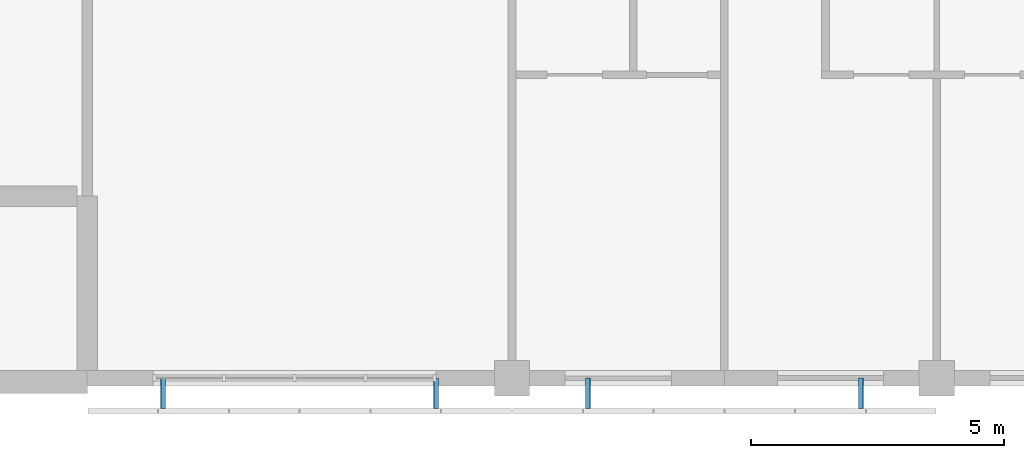
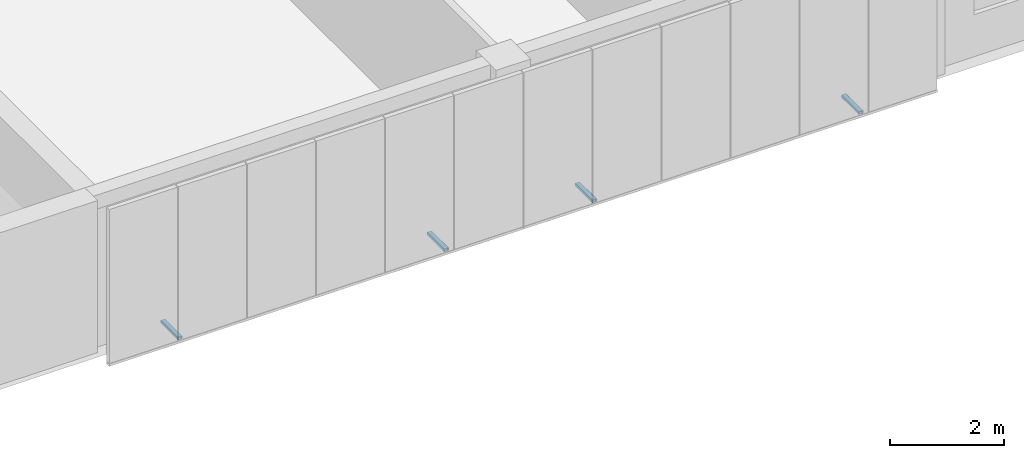
# One storey, part 41 of 46: 4 discrete accessories.
"""IFC4 building model written with IfcOpenShell, lengths in metres."""

import ifcopenshell
import ifcopenshell.guid

model = None  # the IFC model being written
_history = None  # IfcOwnerHistory: only IFC2X3 demands one
_inside = {}  # id of a spatial element -> (the spatial element, [elements in it])
_under = {}  # id of a project, library or spatial element -> (it, [spatial elements below it])
_declared = {}  # id of a project -> (the project, [libraries it declares])
_typed = {}  # id of a type object -> (the type object, [elements of that type])
_made_of = {}  # id of a material, layer set ... -> (it, [elements and type objects made of it])


def new_model(schema):
    """Start an empty IFC model of exactly this schema.

    Asked for "IFC4X3", IfcOpenShell would pick the latest addendum, in which some entities
    have other attributes; the version numbers below select the first issue.
    IFC2X3 requires an IfcOwnerHistory on every rooted entity: one is made here for all.
    """
    global model, _history
    if schema == "IFC4X3":
        model = ifcopenshell.file(schema_version=(4, 3, 0, 0))
    else:
        model = ifcopenshell.file(schema=schema)
    _inside.clear()
    _under.clear()
    _declared.clear()
    _typed.clear()
    _made_of.clear()
    _history = None
    if model.schema == "IFC2X3":
        org = make("IfcOrganization", Name="unknown")
        user = make(
            "IfcPersonAndOrganization",
            ThePerson=make("IfcPerson", FamilyName="unknown"),
            TheOrganization=org,
        )
        app = make(
            "IfcApplication",
            ApplicationDeveloper=org,
            Version="unknown",
            ApplicationFullName="unknown",
            ApplicationIdentifier="unknown",
        )
        _history = make(
            "IfcOwnerHistory",
            OwningUser=user,
            OwningApplication=app,
            ChangeAction="ADDED",
            CreationDate=0,
        )
    return model


def make(cls, **values):
    """One entity of the class cls with the attributes given. An attribute that is None is left unset."""
    return model.create_entity(
        cls, **{name: value for name, value in values.items() if value is not None}
    )


def rooted(cls, **values):
    """An entity with a GlobalId (a new one), such as an element, a storey or a relation."""
    return make(cls, GlobalId=ifcopenshell.guid.new(), OwnerHistory=_history, **values)


def si_unit(unit_type, name, prefix=None):
    """IfcSIUnit, for example si_unit("LENGTHUNIT", "METRE", prefix="MILLI")."""
    return make("IfcSIUnit", UnitType=unit_type, Prefix=prefix, Name=name)


def assignment(units):
    """IfcUnitAssignment: the units of a project."""
    return None if units is None else make("IfcUnitAssignment", Units=units)


def point(xyz):
    """IfcCartesianPoint."""
    return None if xyz is None else make("IfcCartesianPoint", Coordinates=xyz)


def direction(xyz):
    """IfcDirection."""
    return None if xyz is None else make("IfcDirection", DirectionRatios=xyz)


def frame(location, z_axis=None, x_axis=None):
    """IfcAxis2Placement3D, a coordinate frame: its origin and axes. An axis left out is left unset."""
    return make(
        "IfcAxis2Placement3D",
        Location=point(location),
        Axis=direction(z_axis),
        RefDirection=direction(x_axis),
    )


def frame_2d(location, x_axis=None):
    """IfcAxis2Placement2D, a coordinate frame in the plane: its origin and x axis."""
    return make(
        "IfcAxis2Placement2D", Location=point(location), RefDirection=direction(x_axis)
    )


def origin():
    """The frame at (0, 0, 0) with its axes left unset."""
    return frame((0.0, 0.0, 0.0))


def origin_2d():
    """The frame at (0, 0) in the plane with its x axis left unset."""
    return frame_2d((0.0, 0.0))


def place(relative_to, where):
    """IfcLocalPlacement: puts the frame where relative to a parent placement (None: the world)."""
    return make(
        "IfcLocalPlacement", PlacementRelTo=relative_to, RelativePlacement=where
    )


def context(
    kind, dimensions, precision=None, world=None, true_north=None, identifier=None
):
    """IfcGeometricRepresentationContext, for example the 3D "Model" context."""
    return make(
        "IfcGeometricRepresentationContext",
        ContextIdentifier=identifier,
        ContextType=kind,
        CoordinateSpaceDimension=dimensions,
        Precision=precision,
        WorldCoordinateSystem=world,
        TrueNorth=true_north,
    )


def subcontext(parent, identifier, kind, view, scale=None):
    """IfcGeometricRepresentationSubContext, for example "Body" below "Model"."""
    return make(
        "IfcGeometricRepresentationSubContext",
        ContextIdentifier=identifier,
        ContextType=kind,
        ParentContext=parent,
        TargetScale=scale,
        TargetView=view,
    )


def project(units=None, contexts=None):
    """IfcProject with its units and contexts."""
    return rooted(
        "IfcProject",
        Name="project",
        RepresentationContexts=contexts,
        UnitsInContext=assignment(units),
    )


def spatial(cls, under=None, at=None, **own):
    """A site, building, storey or space (cls), placed at a placement, below another one or the project."""
    s = rooted(cls, ObjectPlacement=at, **own)
    if under is not None:
        _under.setdefault(under.id(), (under, []))[1].append(s)
    return s


def profile(cls, at=None, kind="AREA", **sizes):
    """A parametric profile (cls). Its sizes go by their IFC names, for example OverallWidth=200.0."""
    return make(cls, ProfileType=kind, Position=at, **sizes)


def hollow_rectangle(**sizes):
    """IfcRectangleHollowProfileDef."""
    return profile("IfcRectangleHollowProfileDef", **sizes)


def extrude(swept, where, along, depth):
    """IfcExtrudedAreaSolid: the profile swept, set in the frame where, extruded along a direction by depth."""
    return make(
        "IfcExtrudedAreaSolid",
        SweptArea=swept,
        Position=where,
        ExtrudedDirection=direction(along),
        Depth=depth,
    )


def shape(context_of_items, identifier, shape_type, items):
    """IfcShapeRepresentation: the items that make up one representation, for example the "Body"."""
    return make(
        "IfcShapeRepresentation",
        ContextOfItems=context_of_items,
        RepresentationIdentifier=identifier,
        RepresentationType=shape_type,
        Items=items,
    )


def material(Name=None, Category=None):
    """IfcMaterial."""
    return make("IfcMaterial", Name=Name, Category=Category)


def material_profile(
    of_material, cross_section, Name=None, Category=None, Priority=None
):
    """IfcMaterialProfile: a cross section and its material."""
    return make(
        "IfcMaterialProfile",
        Name=Name,
        Material=of_material,
        Profile=cross_section,
        Priority=Priority,
        Category=Category,
    )


def profile_set(profiles, Name=None, composite=None):
    """IfcMaterialProfileSet."""
    return make(
        "IfcMaterialProfileSet",
        Name=Name,
        MaterialProfiles=profiles,
        CompositeProfile=composite,
    )


def made_of(thing, what):
    """Note that an element or type object is made of a material, layer set ...; save() writes the relation."""
    if what is not None:
        _made_of.setdefault(what.id(), (what, []))[1].append(thing)
    return thing


def type_object(cls, material=None, **own):
    """A type object (cls), such as IfcWallType, which elements share."""
    return made_of(rooted(cls, **own), material)


def element(
    cls,
    number,
    at=None,
    inside=None,
    cuts=None,
    type_object=None,
    material=None,
    context=None,
    identifier="Body",
    shape_type=None,
    held_by="IfcProductDefinitionShape",
    body=None,
    shapes=None,
    **own,
):
    """One element of the class cls, such as IfcWall. Its Tag is "e" and its number.

    at: its placement. inside: the storey or other place that contains it. cuts: it is an
    opening in that element (IfcRelVoidsElement). A single representation is given by context,
    identifier, shape_type and body (its items); several are given by shapes. held_by: the class
    of the entity that holds the representations. save() writes the other relations.
    """
    e = rooted(cls, Tag="e%d" % number, ObjectPlacement=at, **own)
    if body is not None:
        shapes = [shape(context, identifier, shape_type, body)]
    if shapes is not None:
        e.Representation = make(held_by, Representations=shapes)
    if inside is not None:
        _inside.setdefault(inside.id(), (inside, []))[1].append(e)
    if cuts is not None:
        rooted(
            "IfcRelVoidsElement", RelatingBuildingElement=cuts, RelatedOpeningElement=e
        )
    if type_object is not None:
        _typed.setdefault(type_object.id(), (type_object, []))[1].append(e)
    return made_of(e, material)


def aggregate(whole, parts):
    """IfcRelAggregates: a whole, such as a stair, and the parts it consists of."""
    return rooted("IfcRelAggregates", RelatingObject=whole, RelatedObjects=parts)


def save(model, path):
    """Write the relations noted so far, then the file.

    IfcRelAggregates (storeys below a building ...), IfcRelContainedInSpatialStructure (elements
    in a storey), IfcRelDefinesByType, IfcRelAssociatesMaterial and IfcRelDeclares: one each for
    every whole, place, type object, material and project.
    """
    for whole, parts in _under.values():
        aggregate(whole, parts)
    for where, things in _inside.values():
        rooted(
            "IfcRelContainedInSpatialStructure",
            RelatedElements=things,
            RelatingStructure=where,
        )
    for kind, things in _typed.values():
        rooted("IfcRelDefinesByType", RelatedObjects=things, RelatingType=kind)
    for what, things in _made_of.values():
        rooted("IfcRelAssociatesMaterial", RelatedObjects=things, RelatingMaterial=what)
    for by, libraries in _declared.values():
        rooted("IfcRelDeclares", RelatingContext=by, RelatedDefinitions=libraries)
    model.write(path)


model = new_model("IFC4")

# Units and contexts
model_context = context("Model", 3, precision=1e-05, world=origin(), true_north=direction((0.0, 1.0)))
body_context = subcontext(model_context, "Body", "Model", "MODEL_VIEW")
ifc_project = project(units=[si_unit("LENGTHUNIT", "METRE"), si_unit("AREAUNIT", "SQUARE_METRE"), si_unit("VOLUMEUNIT", "CUBIC_METRE"), si_unit("PLANEANGLEUNIT", "RADIAN"), si_unit("MASSUNIT", "GRAM", prefix="KILO")], contexts=[model_context])

# Site, building, storey
site_placement = place(None, origin())
site = spatial("IfcSite", under=ifc_project, at=site_placement, CompositionType="ELEMENT")
building_placement = place(site_placement, origin())
building = spatial("IfcBuilding", under=site, at=building_placement, Name="Yavir Park General Hospital", CompositionType="ELEMENT")
storey_placement = place(building_placement, frame((0.0, 0.0, 18.89990234375)))
storey = spatial("IfcBuildingStorey", under=building, at=storey_placement, Name="L04", CompositionType="ELEMENT", Elevation=18.89990234375)

# Discrete accessories
ifc_material = material(Name="Steel S355", Category="steel")
ifc_material_profile = material_profile(ifc_material, hollow_rectangle(XDim=0.10009765625, YDim=0.06005859375, WallThickness=0.006103515625, InnerFilletRadius=0.006103515625, OuterFilletRadius=0.011962890625, at=origin_2d()), Name="RHS60x100x6")
ifc_profile_set = profile_set([ifc_material_profile], Name="Steel S355")
discrete_accessory_type = type_object("IfcDiscreteAccessoryType", Name="Screen bracket RHS 60 x 100", PredefinedType="BRACKET", material=ifc_profile_set)
for number, where, z_axis, x_axis, name in (
    (1, (144.300048828125, 0.0, -0.02978515625), (0.0, -1.0, 0.0), (1.0, 0.0, 0.0), "Screen bracket S18.2.1"),
    (2, (149.699951171875, 0.0, -0.02978515625), (0.0, -1.0, 0.0), (1.0, 0.0, 0.0), "Screen bracket S18.2.2"),
    (3, (152.699951171875, 0.0, -0.02978515625), (0.0, -1.0, 0.0), (1.0, 0.0, 0.0), "Screen bracket S19.2.1"),
    (4, (158.10009765625, 0.0, -0.02978515625), (0.0, -1.0, 0.0), (1.0, 0.0, 0.0), "Screen bracket S19.2.2"),
):
    element("IfcDiscreteAccessory", number, at=place(storey_placement, frame(where, z_axis=z_axis, x_axis=x_axis)), inside=storey, type_object=discrete_accessory_type, Name=name, PredefinedType="BRACKET", context=body_context, shape_type="SweptSolid", body=[
        extrude(hollow_rectangle(XDim=0.10009765625, YDim=0.06005859375, WallThickness=0.006103515625, InnerFilletRadius=0.006103515625, OuterFilletRadius=0.011962890625, at=origin_2d()), origin(), (0.0, 0.0, 1.0), 0.60009765625),
    ])

save(model, "model.ifc")
